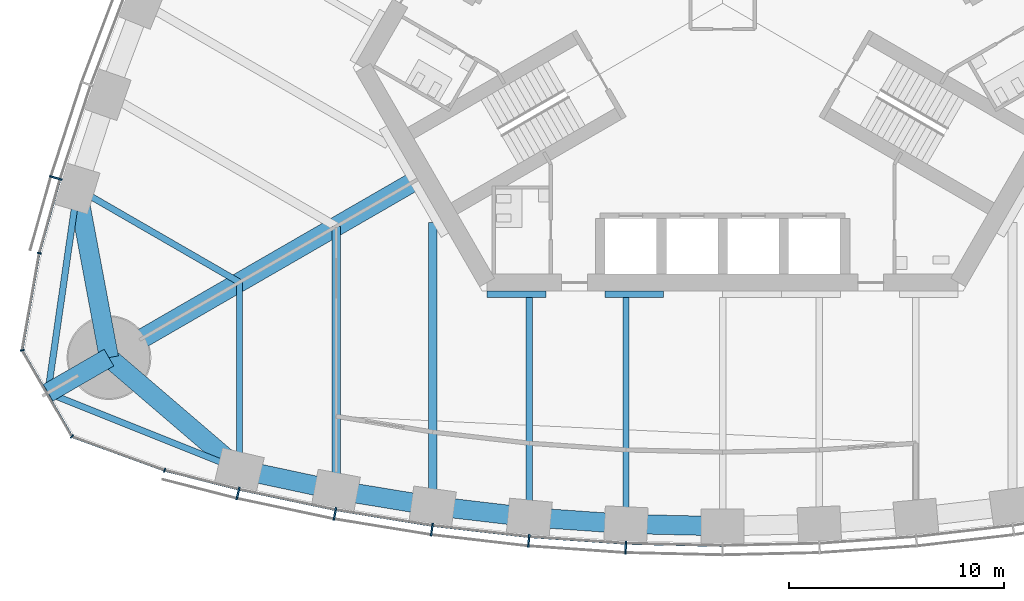
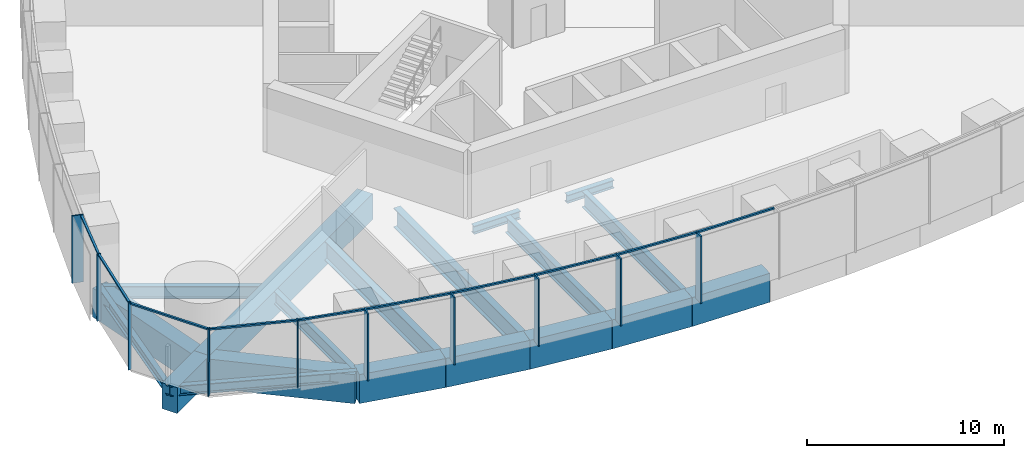
# One storey, part 2 of 18: 20 members, 19 beams, 3 elements without a shape of their own.
"""IFC4 building model written with IfcOpenShell, lengths in metres."""

from ifc_helpers import new_model, si_unit, direction, frame, origin, origin_2d, place, context, subcontext, project, spatial, rectangle, i_section, extrude, material, material_profile, profile_set, type_object, element, aggregate, save


model = new_model("IFC4")

# Units and contexts
model_context = context("Model", 3, precision=1e-05, world=origin(), true_north=direction((0.0, 1.0)))
body_context = subcontext(model_context, "Body", "Model", "MODEL_VIEW")
ifc_project = project(units=[si_unit("LENGTHUNIT", "METRE"), si_unit("AREAUNIT", "SQUARE_METRE"), si_unit("VOLUMEUNIT", "CUBIC_METRE"), si_unit("PLANEANGLEUNIT", "RADIAN"), si_unit("MASSUNIT", "GRAM", prefix="KILO")], contexts=[model_context])

# Site, building, storey
site_placement = place(None, origin())
site = spatial("IfcSite", under=ifc_project, at=site_placement, CompositionType="ELEMENT")
building_placement = place(site_placement, origin())
building = spatial("IfcBuilding", under=site, at=building_placement, Name="Trefoil Bronze Tower", CompositionType="ELEMENT")
storey_placement = place(building_placement, frame((0.0, 0.0, 198.10009765625)))
storey = spatial("IfcBuildingStorey", under=building, at=storey_placement, Name="L45", CompositionType="ELEMENT", Elevation=198.10009765625)

# Curtain wall, members
ifc_material_1 = material(Name="Tinted solar-control glass", Category="glass")
curtain_wall_type_1 = type_object("IfcCurtainWallType", Name="Bronze office curtain wall", PredefinedType="USERDEFINED", material=ifc_material_1)
curtain_wall_1_placement = place(storey_placement, origin())
curtain_wall_1 = element("IfcCurtainWall", 1, at=curtain_wall_1_placement, inside=storey, type_object=curtain_wall_type_1, Name="CW-A L45 F1", ObjectType="CURTAIN WALL", PredefinedType="USERDEFINED")
ifc_material_2 = material(Name="Bronze-finish aluminium", Category="aluminium")
ifc_material_profile_1 = material_profile(ifc_material_2, rectangle(XDim=0.60009765625, YDim=0.080078125, at=origin_2d()), Name="CW-A mullion")
ifc_profile_set_1 = profile_set([ifc_material_profile_1], Name="Bronze-finish aluminium")
member_type_1 = type_object("IfcMemberType", Name="Bronze office curtain wall mullion", PredefinedType="MULLION", material=ifc_profile_set_1)
member_1_placement = place(storey_placement, frame((-22.568115234375, -22.82421875, 0.0), z_axis=(0.0, 0.0, 1.0), x_axis=(0.227082662569, 0.973875487093, 0.0)))
member_1 = element("IfcMember", 2, at=member_1_placement, type_object=member_type_1, Name="CW-A L45 F1 mullion 2", PredefinedType="MULLION", context=body_context, shape_type="SweptSolid", body=[
    extrude(rectangle(XDim=0.60009765625, YDim=0.080078125, at=origin_2d()), origin(), (0.0, 0.0, 1.0), 4.179931640625),
])
member_2_placement = place(storey_placement, frame((-18.05517578125, -23.77783203125, 0.0), z_axis=(0.0, 0.0, 1.0), x_axis=(0.183825368167, 0.982958917767, 0.0)))
member_2 = element("IfcMember", 3, at=member_2_placement, type_object=member_type_1, Name="CW-A L45 F1 mullion 3", PredefinedType="MULLION", context=body_context, shape_type="SweptSolid", body=[
    extrude(rectangle(XDim=0.60009765625, YDim=0.080078125, at=origin_2d()), origin(), (0.0, 0.0, 1.0), 4.179931640625),
])
member_3_placement = place(storey_placement, frame((-13.541259765625, -24.51318359375, 0.0), z_axis=(0.0, 0.0, 1.0), x_axis=(0.137867887204, 0.990450627582, 0.0)))
member_3 = element("IfcMember", 4, at=member_3_placement, type_object=member_type_1, Name="CW-A L45 F1 mullion 4", PredefinedType="MULLION", context=body_context, shape_type="SweptSolid", body=[
    extrude(rectangle(XDim=0.60009765625, YDim=0.080078125, at=origin_2d()), origin(), (0.0, 0.0, 1.0), 4.179931640625),
])
member_4_placement = place(storey_placement, frame((-9.027587890625, -25.03515625, 0.0), z_axis=(0.0, 0.0, 1.0), x_axis=(0.091911396394, 0.995767189263, 0.0)))
member_4 = element("IfcMember", 5, at=member_4_placement, type_object=member_type_1, Name="CW-A L45 F1 mullion 5", PredefinedType="MULLION", context=body_context, shape_type="SweptSolid", body=[
    extrude(rectangle(XDim=0.60009765625, YDim=0.080078125, at=origin_2d()), origin(), (0.0, 0.0, 1.0), 4.179931640625),
])
member_5_placement = place(storey_placement, frame((-4.513671875, -25.346923828125, 0.0), z_axis=(0.0, 0.0, 1.0), x_axis=(0.045955542372, 0.998943485952, 0.0)))
member_5 = element("IfcMember", 6, at=member_5_placement, type_object=member_type_1, Name="CW-A L45 F1 mullion 6", PredefinedType="MULLION", context=body_context, shape_type="SweptSolid", body=[
    extrude(rectangle(XDim=0.60009765625, YDim=0.080078125, at=origin_2d()), origin(), (0.0, 0.0, 1.0), 4.179931640625),
])

# Curtain wall, member
curtain_wall_2_placement = place(storey_placement, origin())
curtain_wall_2 = element("IfcCurtainWall", 7, at=curtain_wall_2_placement, inside=storey, type_object=curtain_wall_type_1, Name="CW-A L45 F3", ObjectType="CURTAIN WALL", PredefinedType="USERDEFINED")
member_6_placement = place(storey_placement, frame((-31.05029296875, -8.132568359375, 0.0), z_axis=(0.0, 0.0, 1.0), x_axis=(0.95694224323, -0.290278389002, 0.0)))
member_6 = element("IfcMember", 8, at=member_6_placement, type_object=member_type_1, Name="CW-A L45 F3 mullion 12", PredefinedType="MULLION", context=body_context, shape_type="SweptSolid", body=[
    extrude(rectangle(XDim=0.60009765625, YDim=0.080078125, at=origin_2d()), origin(), (0.0, 0.0, 1.0), 4.179931640625),
])

# Member
ifc_material_3 = material(Name="Bronze-finish aluminium", Category="aluminium")
ifc_material_profile_2 = material_profile(ifc_material_3, rectangle(XDim=0.1201171875, YDim=0.10009765625, at=origin_2d()), Name="CW-A transom")
ifc_profile_set_2 = profile_set([ifc_material_profile_2], Name="Bronze-finish aluminium")
member_type_2 = type_object("IfcMemberType", Name="Bronze office curtain wall transom", PredefinedType="USERDEFINED", material=ifc_profile_set_2)
member_7_placement = place(storey_placement, frame((-25.93896484375, -21.75732421875, 4.1298828125), z_axis=(0.968935220916, -0.247314653162, 0.0), x_axis=(0.247314653162, 0.968935220916, 0.0)))
member_7 = element("IfcMember", 9, at=member_7_placement, type_object=member_type_2, Name="CW-A L45 F1 transom 1", ObjectType="TRANSOM", PredefinedType="USERDEFINED", context=body_context, shape_type="SweptSolid", body=[
    extrude(rectangle(XDim=0.1201171875, YDim=0.10009765625, at=origin_2d()), origin(), (0.0, 0.0, 1.0), 3.483642578125),
])

member_8_placement = place(storey_placement, frame((-22.4814453125, -22.63818359375, 4.1298828125), z_axis=(0.978395325657, -0.20674280334, 0.0), x_axis=(0.20674280334, 0.978395325657, 0.0)))
member_8 = element("IfcMember", 10, at=member_8_placement, type_object=member_type_2, Name="CW-A L45 F1 transom 2", ObjectType="TRANSOM", PredefinedType="USERDEFINED", context=body_context, shape_type="SweptSolid", body=[
    extrude(rectangle(XDim=0.1201171875, YDim=0.10009765625, at=origin_2d()), origin(), (0.0, 0.0, 1.0), 4.519287109375),
])

member_9_placement = place(storey_placement, frame((-17.9765625, -23.588134765625, 4.1298828125), z_axis=(0.986988367046, -0.160791676761, 0.0), x_axis=(0.160791676761, 0.986988367046, 0.0)))
member_9 = element("IfcMember", 11, at=member_9_placement, type_object=member_type_2, Name="CW-A L45 F1 transom 3", ObjectType="TRANSOM", PredefinedType="USERDEFINED", context=body_context, shape_type="SweptSolid", body=[
    extrude(rectangle(XDim=0.1201171875, YDim=0.10009765625, at=origin_2d()), origin(), (0.0, 0.0, 1.0), 4.479248046875),
])

member_10_placement = place(storey_placement, frame((-13.4716796875, -24.320068359375, 4.1298828125), z_axis=(0.993384885596, -0.114832352013, 0.0), x_axis=(0.114832352013, 0.993384885596, 0.0)))
member_10 = element("IfcMember", 12, at=member_10_placement, type_object=member_type_2, Name="CW-A L45 F1 transom 4", ObjectType="TRANSOM", PredefinedType="USERDEFINED", context=body_context, shape_type="SweptSolid", body=[
    extrude(rectangle(XDim=0.1201171875, YDim=0.10009765625, at=origin_2d()), origin(), (0.0, 0.0, 1.0), 4.449951171875),
])

member_11_placement = place(storey_placement, frame((-8.967041015625, -24.8388671875, 4.1298828125), z_axis=(0.997621320987, -0.06893257512, 0.0), x_axis=(0.06893257512, 0.997621320987, 0.0)))
member_11 = element("IfcMember", 13, at=member_11_placement, type_object=member_type_2, Name="CW-A L45 F1 transom 5", ObjectType="TRANSOM", PredefinedType="USERDEFINED", context=body_context, shape_type="SweptSolid", body=[
    extrude(rectangle(XDim=0.1201171875, YDim=0.10009765625, at=origin_2d()), origin(), (0.0, 0.0, 1.0), 4.4306640625),
])

member_12_placement = place(storey_placement, frame((-4.46240234375, -25.148193359375, 4.1298828125), z_axis=(0.999736131416, -0.022971015226, 0.0), x_axis=(0.022971015226, 0.999736131416, 0.0)))
member_12 = element("IfcMember", 14, at=member_12_placement, type_object=member_type_2, Name="CW-A L45 F1 transom 6", ObjectType="TRANSOM", PredefinedType="USERDEFINED", context=body_context, shape_type="SweptSolid", body=[
    extrude(rectangle(XDim=0.1201171875, YDim=0.10009765625, at=origin_2d()), origin(), (0.0, 0.0, 1.0), 4.42138671875),
])

aggregate(curtain_wall_1, [member_1, member_2, member_3, member_4, member_5, member_7, member_8, member_9, member_10, member_11, member_12])

member_13_placement = place(storey_placement, frame((-30.870361328125, -8.23095703125, 4.1298828125), z_axis=(-0.270284880437, -0.962780392097, 0.0), x_axis=(0.962780392097, -0.270284880437, 0.0)))
member_13 = element("IfcMember", 15, at=member_13_placement, type_object=member_type_2, Name="CW-A L45 F3 transom 12", ObjectType="TRANSOM", PredefinedType="USERDEFINED", context=body_context, shape_type="SweptSolid", body=[
    extrude(rectangle(XDim=0.1201171875, YDim=0.10009765625, at=origin_2d()), origin(), (0.0, 0.0, 1.0), 3.48388671875),
])

aggregate(curtain_wall_2, [member_6, member_13])

# Curtain wall, members
ifc_material_4 = material(Name="Tinted solar-control glass", Category="glass")
curtain_wall_type_2 = type_object("IfcCurtainWallType", Name="Bronze rounded corner curtain wall", PredefinedType="USERDEFINED", material=ifc_material_4)
curtain_wall_3_placement = place(storey_placement, origin())
curtain_wall_3 = element("IfcCurtainWall", 16, at=curtain_wall_3_placement, inside=storey, type_object=curtain_wall_type_2, Name="CW-B L45 K3", ObjectType="CURTAIN WALL", PredefinedType="USERDEFINED")
ifc_material_5 = material(Name="Bronze-finish aluminium", Category="aluminium")
ifc_material_profile_3 = material_profile(ifc_material_5, rectangle(XDim=0.199951171875, YDim=0.06005859375, at=origin_2d()), Name="CW-B mullion")
ifc_profile_set_3 = profile_set([ifc_material_profile_3], Name="Bronze-finish aluminium")
member_type_3 = type_object("IfcMemberType", Name="Bronze rounded corner curtain wall mullion", PredefinedType="MULLION", material=ifc_profile_set_3)
member_14_placement = place(storey_placement, frame((-31.824951171875, -11.63330078125, 0.0), z_axis=(0.0, 0.0, 1.0), x_axis=(0.984807753012, -0.173648177667, 0.0)))
member_14 = element("IfcMember", 17, at=member_14_placement, type_object=member_type_3, Name="CW-B L45 K3 mullion 1", PredefinedType="MULLION", context=body_context, shape_type="SweptSolid", body=[
    extrude(rectangle(XDim=0.199951171875, YDim=0.06005859375, at=origin_2d()), origin(), (0.0, 0.0, 1.0), 4.179931640625),
])
member_15_placement = place(storey_placement, frame((-32.616943359375, -16.158935546875, 0.0), z_axis=(0.0, 0.0, 1.0), x_axis=(0.984807753012, 0.173648177667, 0.0)))
member_15 = element("IfcMember", 18, at=member_15_placement, type_object=member_type_3, Name="CW-B L45 K3 mullion 2", PredefinedType="MULLION", context=body_context, shape_type="SweptSolid", body=[
    extrude(rectangle(XDim=0.199951171875, YDim=0.06005859375, at=origin_2d()), origin(), (0.0, 0.0, 1.0), 4.179931640625),
])
member_16_placement = place(storey_placement, frame((-30.302490234375, -20.16748046875, 0.0), z_axis=(0.0, 0.0, 1.0), x_axis=(0.642787609687, 0.766044443119, 0.0)))
member_16 = element("IfcMember", 19, at=member_16_placement, type_object=member_type_3, Name="CW-B L45 K3 mullion 3", PredefinedType="MULLION", context=body_context, shape_type="SweptSolid", body=[
    extrude(rectangle(XDim=0.199951171875, YDim=0.06005859375, at=origin_2d()), origin(), (0.0, 0.0, 1.0), 4.179931640625),
])
member_17_placement = place(storey_placement, frame((-25.9873046875, -21.74462890625, 0.0), z_axis=(0.0, 0.0, 1.0), x_axis=(0.342020143326, 0.939692620786, 0.0)))
member_17 = element("IfcMember", 20, at=member_17_placement, type_object=member_type_3, Name="CW-B L45 K3 mullion 4", PredefinedType="MULLION", context=body_context, shape_type="SweptSolid", body=[
    extrude(rectangle(XDim=0.199951171875, YDim=0.06005859375, at=origin_2d()), origin(), (0.0, 0.0, 1.0), 4.179931640625),
])
ifc_material_6 = material(Name="Bronze-finish aluminium", Category="aluminium")
ifc_material_profile_4 = material_profile(ifc_material_6, rectangle(XDim=0.1201171875, YDim=0.10009765625, at=origin_2d()), Name="CW-B transom")
ifc_profile_set_4 = profile_set([ifc_material_profile_4], Name="Bronze-finish aluminium")
member_type_4 = type_object("IfcMemberType", Name="Bronze rounded corner curtain wall transom", PredefinedType="USERDEFINED", material=ifc_profile_set_4)
member_18_placement = place(storey_placement, frame((-31.830078125, -11.662841796875, 4.1298828125), z_axis=(-0.173655350028, -0.984806488304, 0.0), x_axis=(0.984806488304, -0.173655350028, 0.0)))
member_18 = element("IfcMember", 21, at=member_18_placement, type_object=member_type_4, Name="CW-B L45 K3 transom 1", ObjectType="TRANSOM", PredefinedType="USERDEFINED", context=body_context, shape_type="SweptSolid", body=[
    extrude(rectangle(XDim=0.1201171875, YDim=0.10009765625, at=origin_2d()), origin(), (0.0, 0.0, 1.0), 4.500244140625),
])
member_19_placement = place(storey_placement, frame((-32.590087890625, -16.217529296875, 4.1298828125), z_axis=(0.500007335828, -0.866021168401, 0.0), x_axis=(0.866021168401, 0.500007335828, 0.0)))
member_19 = element("IfcMember", 22, at=member_19_placement, type_object=member_type_4, Name="CW-B L45 K3 transom 2", ObjectType="TRANSOM", PredefinedType="USERDEFINED", context=body_context, shape_type="SweptSolid", body=[
    extrude(rectangle(XDim=0.1201171875, YDim=0.10009765625, at=origin_2d()), origin(), (0.0, 0.0, 1.0), 4.50048828125),
])
member_20_placement = place(storey_placement, frame((-30.244140625, -20.195068359375, 4.1298828125), z_axis=(0.939680910753, -0.342052314664, 0.0), x_axis=(0.342052314664, 0.939680910753, 0.0)))
member_20 = element("IfcMember", 23, at=member_20_placement, type_object=member_type_4, Name="CW-B L45 K3 transom 3", ObjectType="TRANSOM", PredefinedType="USERDEFINED", context=body_context, shape_type="SweptSolid", body=[
    extrude(rectangle(XDim=0.1201171875, YDim=0.10009765625, at=origin_2d()), origin(), (0.0, 0.0, 1.0), 4.500244140625),
])
aggregate(curtain_wall_3, [member_14, member_15, member_16, member_17, member_18, member_19, member_20])

# Beams
ifc_material_7 = material(Name="Steel C355", Category="steel")
ifc_material_profile_5 = material_profile(ifc_material_7, i_section(OverallWidth=0.300048828125, OverallDepth=0.5, WebThickness=0.014404296875, FlangeThickness=0.028076171875, FilletRadius=0.027099609375, at=origin_2d()), Name="HEB 500")
ifc_profile_set_5 = profile_set([ifc_material_profile_5], Name="Steel C355")
beam_type_1 = type_object("IfcBeamType", Name="Core seat beam HEB 500", PredefinedType="BEAM", material=ifc_profile_set_5)
for number, where, z_axis, x_axis, name in (
    (24, (-10.9697265625, -13.550048828125, -0.4501953125), (1.0, 0.0, 0.0), (0.0, 1.0, 0.0), "Core seat beam F1/-2 L45"),
    (25, (-5.48486328125, -13.550048828125, -0.4501953125), (1.0, 0.0, 0.0), (0.0, 1.0, 0.0), "Core seat beam F1/-1 L45"),
):
    element("IfcBeam", number, at=place(storey_placement, frame(where, z_axis=z_axis, x_axis=x_axis)), inside=storey, type_object=beam_type_1, Name=name, PredefinedType="BEAM", context=body_context, shape_type="SweptSolid", body=[
        extrude(i_section(OverallWidth=0.300048828125, OverallDepth=0.5, WebThickness=0.014404296875, FlangeThickness=0.028076171875, FilletRadius=0.027099609375, at=origin_2d()), origin(), (0.0, 0.0, 1.0), 2.742431640625),
    ])
ifc_material_8 = material(Name="Concrete B80", Category="concrete")
ifc_material_profile_6 = material_profile(ifc_material_8, rectangle(XDim=0.89990234375, YDim=1.60009765625, at=origin_2d()), Name="RC 900x1600")
ifc_profile_set_6 = profile_set([ifc_material_profile_6], Name="Concrete B80")
beam_type_2 = type_object("IfcBeamType", Name="Corner cantilever RC 900x1600", PredefinedType="BEAM", material=ifc_profile_set_6)
beam_1_placement = place(storey_placement, frame((-28.578857421875, -16.5, -1.0), z_axis=(-0.866016004958, -0.500016278891, 0.0), x_axis=(0.500016278891, -0.866016004958, 0.0)))
element("IfcBeam", 26, at=beam_1_placement, inside=storey, type_object=beam_type_2, Name="Corner cantilever K3 L45", PredefinedType="BEAM", context=body_context, shape_type="SweptSolid", body=[
    extrude(rectangle(XDim=0.89990234375, YDim=1.60009765625, at=origin_2d()), origin(), (0.0, 0.0, 1.0), 3.28466796875),
])
ifc_material_9 = material(Name="Steel C355", Category="steel")
ifc_material_profile_7 = material_profile(ifc_material_9, i_section(OverallWidth=0.300048828125, OverallDepth=0.60009765625, WebThickness=0.015380859375, FlangeThickness=0.030029296875, FilletRadius=0.027099609375, at=origin_2d()), Name="HEB 600")
ifc_profile_set_7 = profile_set([ifc_material_profile_7], Name="Steel C355")
beam_type_3 = type_object("IfcBeamType", Name="Corner edge beam HEB 600", PredefinedType="BEAM", material=ifc_profile_set_7)
for number, where, z_axis, x_axis, name in (
    (27, (-22.5, -21.71044921875, -0.5), (-0.92852048463, 0.371281173266, 0.0), (-0.371281173266, -0.92852048463, 0.0), "Corner edge beam F1B L45"),
    (28, (-30.052001953125, -8.63037109375, -0.5), (-0.142694489722, -0.989766781925, 0.0), (0.989766781925, -0.142694489722, 0.0), "Corner edge beam F3A L45"),
):
    element("IfcBeam", number, at=place(storey_placement, frame(where, z_axis=z_axis, x_axis=x_axis)), inside=storey, type_object=beam_type_3, Name=name, PredefinedType="BEAM", context=body_context, shape_type="SweptSolid", body=[
        extrude(i_section(OverallWidth=0.300048828125, OverallDepth=0.60009765625, WebThickness=0.015380859375, FlangeThickness=0.030029296875, FilletRadius=0.027099609375, at=origin_2d()), origin(), (0.0, 0.0, 1.0), 9.6103515625),
    ])
ifc_material_10 = material(Name="Concrete B80", Category="concrete")
ifc_material_profile_8 = material_profile(ifc_material_10, rectangle(XDim=0.89990234375, YDim=1.60009765625, at=origin_2d()), Name="RC 900x1600")
ifc_profile_set_8 = profile_set([ifc_material_profile_8], Name="Concrete B80")
beam_type_4 = type_object("IfcBeamType", Name="Corner girder RC 900x1600", PredefinedType="BEAM", material=ifc_profile_set_8)
beam_2_placement = place(storey_placement, frame((-14.202880859375, -8.199951171875, -1.0), z_axis=(-0.866023450265, -0.500003383579, 0.0), x_axis=(0.500003383579, -0.866023450265, 0.0)))
element("IfcBeam", 29, at=beam_2_placement, inside=storey, type_object=beam_type_4, Name="Corner girder K3 L45", PredefinedType="BEAM", context=body_context, shape_type="SweptSolid", body=[
    extrude(rectangle(XDim=0.89990234375, YDim=1.60009765625, at=origin_2d()), origin(), (0.0, 0.0, 1.0), 16.60009765625),
])
ifc_material_11 = material(Name="Concrete B80", Category="concrete")
ifc_material_profile_9 = material_profile(ifc_material_11, rectangle(XDim=0.89990234375, YDim=1.800048828125, at=origin_2d()), Name="RC 900x1800")
ifc_profile_set_9 = profile_set([ifc_material_profile_9], Name="Concrete B80")
beam_type_5 = type_object("IfcBeamType", Name="End spandrel beam RC 900x1800", PredefinedType="SPANDREL", material=ifc_profile_set_9)
for number, where, z_axis, x_axis, name in (
    (30, (-28.578857421875, -16.5, -1.10009765625), (0.759256602365, -0.650791373456, 0.0), (0.650791373456, 0.759256602365, 0.0), "Spandrel F1.1 L45"),
    (31, (-30.052001953125, -8.63037109375, -1.10009765625), (0.18399763073, -0.982926686933, 0.0), (0.982926686933, 0.18399763073, 0.0), "Spandrel F3.12 L45"),
):
    element("IfcBeam", number, at=place(storey_placement, frame(where, z_axis=z_axis, x_axis=x_axis)), inside=storey, type_object=beam_type_5, Name=name, PredefinedType="SPANDREL", context=body_context, shape_type="SweptSolid", body=[
        extrude(rectangle(XDim=0.89990234375, YDim=1.800048828125, at=origin_2d()), origin(), (0.0, 0.0, 1.0), 8.00634765625),
    ])
ifc_material_12 = material(Name="Steel C355", Category="steel")
ifc_material_profile_10 = material_profile(ifc_material_12, i_section(OverallWidth=0.300048828125, OverallDepth=1.0, WebThickness=0.01904296875, FlangeThickness=0.035888671875, FilletRadius=0.030029296875, at=origin_2d()), Name="HEB 1000")
ifc_profile_set_10 = profile_set([ifc_material_profile_10], Name="Steel C355")
beam_type_6 = type_object("IfcBeamType", Name="Floor beam HEB 1000", PredefinedType="BEAM", material=ifc_profile_set_10)
beam_3_placement = place(storey_placement, frame((-9.0, -23.932861328125, -0.7001953125), z_axis=(0.0, 1.0, 0.0), x_axis=(-1.0, 0.0, 0.0)))
element("IfcBeam", 32, at=beam_3_placement, inside=storey, type_object=beam_type_6, Name="Floor beam F1/-2 L45", PredefinedType="BEAM", context=body_context, shape_type="SweptSolid", body=[
    extrude(i_section(OverallWidth=0.300048828125, OverallDepth=1.0, WebThickness=0.01904296875, FlangeThickness=0.035888671875, FilletRadius=0.030029296875, at=origin_2d()), origin(), (0.0, 0.0, 1.0), 10.23291015625),
])
beam_4_placement = place(storey_placement, frame((-4.5, -24.246337890625, -0.7001953125), z_axis=(0.0, 1.0, 0.0), x_axis=(-1.0, 0.0, 0.0)))
element("IfcBeam", 33, at=beam_4_placement, inside=storey, type_object=beam_type_6, Name="Floor beam F1/-1 L45", PredefinedType="BEAM", context=body_context, shape_type="SweptSolid", body=[
    extrude(i_section(OverallWidth=0.300048828125, OverallDepth=1.0, WebThickness=0.01904296875, FlangeThickness=0.035888671875, FilletRadius=0.030029296875, at=origin_2d()), origin(), (0.0, 0.0, 1.0), 10.54638671875),
])
ifc_material_13 = material(Name="Steel C355", Category="steel")
ifc_material_profile_11 = material_profile(ifc_material_13, i_section(OverallWidth=0.300048828125, OverallDepth=0.800048828125, WebThickness=0.017578125, FlangeThickness=0.032958984375, FilletRadius=0.030029296875, at=origin_2d()), Name="HEB 800")
ifc_profile_set_11 = profile_set([ifc_material_profile_11], Name="Steel C355")
beam_type_7 = type_object("IfcBeamType", Name="Floor beam HEB 800", PredefinedType="BEAM", material=ifc_profile_set_11)
beam_5_placement = place(storey_placement, frame((-22.5, -21.71044921875, -0.60009765625), z_axis=(0.0, 1.0, 0.0), x_axis=(-1.0, 0.0, 0.0)))
element("IfcBeam", 34, at=beam_5_placement, inside=storey, type_object=beam_type_7, Name="Floor beam F1/-5 L45", PredefinedType="BEAM", context=body_context, shape_type="SweptSolid", body=[
    extrude(i_section(OverallWidth=0.300048828125, OverallDepth=0.800048828125, WebThickness=0.017578125, FlangeThickness=0.032958984375, FilletRadius=0.030029296875, at=origin_2d()), origin(), (0.0, 0.0, 1.0), 8.719970703125),
])
beam_6_placement = place(storey_placement, frame((-30.052001953125, -8.63037109375, -0.60009765625), z_axis=(0.866027535932, -0.499996306993, 0.0), x_axis=(0.499996306993, 0.866027535932, 0.0)))
element("IfcBeam", 35, at=beam_6_placement, inside=storey, type_object=beam_type_7, Name="Floor beam F3/+5 L45", PredefinedType="BEAM", context=body_context, shape_type="SweptSolid", body=[
    extrude(i_section(OverallWidth=0.300048828125, OverallDepth=0.800048828125, WebThickness=0.017578125, FlangeThickness=0.032958984375, FilletRadius=0.030029296875, at=origin_2d()), origin(), (0.0, 0.0, 1.0), 8.72021484375),
])
ifc_material_14 = material(Name="Steel C355", Category="steel")
ifc_material_profile_12 = material_profile(ifc_material_14, i_section(OverallWidth=0.39990234375, OverallDepth=1.199951171875, WebThickness=0.02001953125, FlangeThickness=0.0400390625, FilletRadius=0.010009765625, at=origin_2d()), Name="WPG 1200")
ifc_profile_set_12 = profile_set([ifc_material_profile_12], Name="Steel C355")
beam_type_8 = type_object("IfcBeamType", Name="Floor beam WPG 1200", PredefinedType="BEAM", material=ifc_profile_set_12)
beam_7_placement = place(storey_placement, frame((-18.0, -22.6689453125, -0.800048828125), z_axis=(0.0, 1.0, 0.0), x_axis=(-1.0, 0.0, 0.0)))
element("IfcBeam", 36, at=beam_7_placement, inside=storey, type_object=beam_type_8, Name="Floor beam F1/-4 L45", PredefinedType="BEAM", context=body_context, shape_type="SweptSolid", body=[
    extrude(i_section(OverallWidth=0.39990234375, OverallDepth=1.199951171875, WebThickness=0.02001953125, FlangeThickness=0.0400390625, FilletRadius=0.010009765625, at=origin_2d()), origin(), (0.0, 0.0, 1.0), 12.276611328125),
])
beam_8_placement = place(storey_placement, frame((-13.5, -23.408447265625, -0.800048828125), z_axis=(0.0, 1.0, 0.0), x_axis=(-1.0, 0.0, 0.0)))
element("IfcBeam", 37, at=beam_8_placement, inside=storey, type_object=beam_type_8, Name="Floor beam F1/-3 L45", PredefinedType="BEAM", context=body_context, shape_type="SweptSolid", body=[
    extrude(i_section(OverallWidth=0.39990234375, OverallDepth=1.199951171875, WebThickness=0.02001953125, FlangeThickness=0.0400390625, FilletRadius=0.010009765625, at=origin_2d()), origin(), (0.0, 0.0, 1.0), 13.191162109375),
])
ifc_material_15 = material(Name="Concrete B80", Category="concrete")
ifc_material_profile_13 = material_profile(ifc_material_15, rectangle(XDim=0.89990234375, YDim=1.800048828125, at=origin_2d()), Name="RC 900x1800")
ifc_profile_set_13 = profile_set([ifc_material_profile_13], Name="Concrete B80")
beam_type_9 = type_object("IfcBeamType", Name="Spandrel beam RC 900x1800", PredefinedType="SPANDREL", material=ifc_profile_set_13)
beam_9_placement = place(storey_placement, frame((-22.5, -21.71044921875, -1.10009765625), z_axis=(0.978059483036, -0.208325820877, 0.0), x_axis=(0.208325820877, 0.978059483036, 0.0)))
element("IfcBeam", 38, at=beam_9_placement, inside=storey, type_object=beam_type_9, Name="Spandrel F1.2 L45", PredefinedType="SPANDREL", context=body_context, shape_type="SweptSolid", body=[
    extrude(rectangle(XDim=0.89990234375, YDim=1.800048828125, at=origin_2d()), origin(), (0.0, 0.0, 1.0), 4.600830078125),
])
beam_10_placement = place(storey_placement, frame((-18.0, -22.6689453125, -1.10009765625), z_axis=(0.986764681833, -0.162158757664, 0.0), x_axis=(0.162158757664, 0.986764681833, 0.0)))
element("IfcBeam", 39, at=beam_10_placement, inside=storey, type_object=beam_type_9, Name="Spandrel F1.3 L45", PredefinedType="SPANDREL", context=body_context, shape_type="SweptSolid", body=[
    extrude(rectangle(XDim=0.89990234375, YDim=1.800048828125, at=origin_2d()), origin(), (0.0, 0.0, 1.0), 4.560302734375),
])
beam_11_placement = place(storey_placement, frame((-13.5, -23.408447265625, -1.10009765625), z_axis=(0.993278017132, -0.115753102257, 0.0), x_axis=(0.115753102257, 0.993278017132, 0.0)))
element("IfcBeam", 40, at=beam_11_placement, inside=storey, type_object=beam_type_9, Name="Spandrel F1.4 L45", PredefinedType="SPANDREL", context=body_context, shape_type="SweptSolid", body=[
    extrude(rectangle(XDim=0.89990234375, YDim=1.800048828125, at=origin_2d()), origin(), (0.0, 0.0, 1.0), 4.530517578125),
])
beam_12_placement = place(storey_placement, frame((-9.0, -23.932861328125, -1.10009765625), z_axis=(0.997582435881, -0.069493047291, 0.0), x_axis=(0.069493047291, 0.997582435881, 0.0)))
element("IfcBeam", 41, at=beam_12_placement, inside=storey, type_object=beam_type_9, Name="Spandrel F1.5 L45", PredefinedType="SPANDREL", context=body_context, shape_type="SweptSolid", body=[
    extrude(rectangle(XDim=0.89990234375, YDim=1.800048828125, at=origin_2d()), origin(), (0.0, 0.0, 1.0), 4.510986328125),
])
beam_13_placement = place(storey_placement, frame((-4.5, -24.246337890625, -1.10009765625), z_axis=(0.999731770792, -0.023160018779, 0.0), x_axis=(0.023160018779, 0.999731770792, 0.0)))
element("IfcBeam", 42, at=beam_13_placement, inside=storey, type_object=beam_type_9, Name="Spandrel F1.6 L45", PredefinedType="SPANDREL", context=body_context, shape_type="SweptSolid", body=[
    extrude(rectangle(XDim=0.89990234375, YDim=1.800048828125, at=origin_2d()), origin(), (0.0, 0.0, 1.0), 4.501220703125),
])

save(model, "model.ifc")
